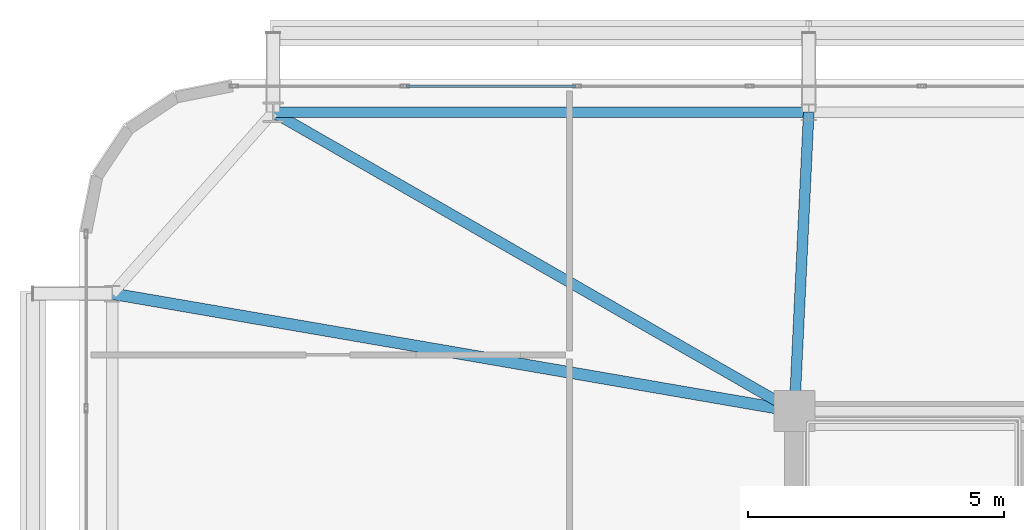
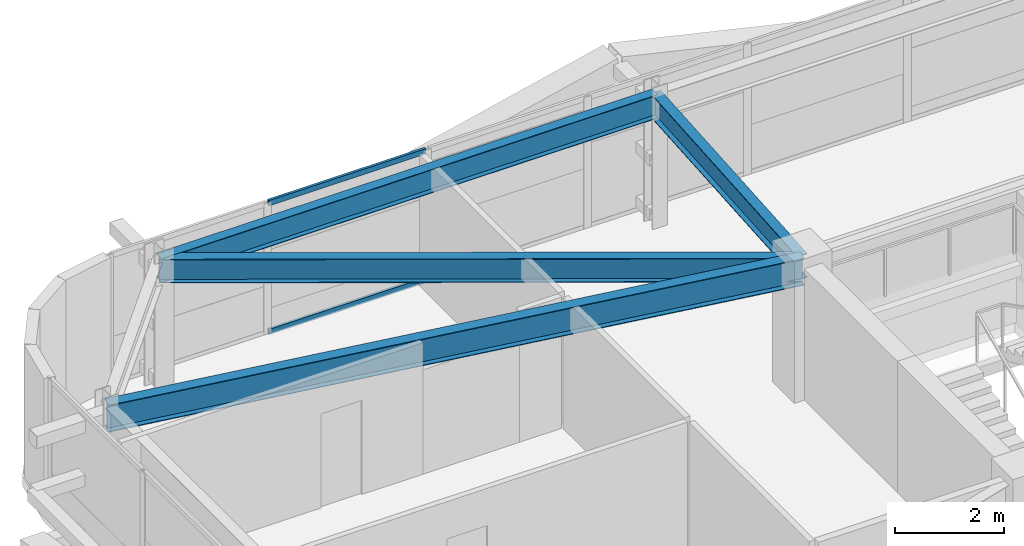
# One storey, part 34 of 59: 4 beams, 2 members, 1 element without a shape of its own.
"""IFC4 building model written with IfcOpenShell, lengths in metres."""

from ifc_helpers import new_model, si_unit, direction, frame, origin, origin_2d, place, context, subcontext, project, spatial, hollow_rectangle, i_section, extrude, source, transform, mapped, material, layer, layer_set, material_profile, profile_set, type_object, element, aggregate, save


model = new_model("IFC4")

# Units and contexts
model_context = context("Model", 3, precision=1e-05, world=origin(), true_north=direction((0.0, 1.0)))
body_context = subcontext(model_context, "Body", "Model", "MODEL_VIEW")
ifc_project = project(units=[si_unit("LENGTHUNIT", "METRE"), si_unit("AREAUNIT", "SQUARE_METRE"), si_unit("VOLUMEUNIT", "CUBIC_METRE"), si_unit("PLANEANGLEUNIT", "RADIAN"), si_unit("MASSUNIT", "GRAM", prefix="KILO")], contexts=[model_context])

# Site, building, storey
site_placement = place(None, origin())
site = spatial("IfcSite", under=ifc_project, at=site_placement, CompositionType="ELEMENT")
building_placement = place(site_placement, origin())
building = spatial("IfcBuilding", under=site, at=building_placement, Name="Taldren Reach Tower", CompositionType="ELEMENT")
storey_placement = place(building_placement, frame((0.0, 0.0, 23.10009765625)))
storey = spatial("IfcBuildingStorey", under=building, at=storey_placement, Name="L06", CompositionType="ELEMENT", Elevation=23.10009765625)

# Beams
ifc_material_1 = material(Name="Steel Gr 350 (350PLUS)", Category="steel")
ifc_material_profile_1 = material_profile(ifc_material_1, i_section(OverallWidth=0.208984375, OverallDepth=0.528076171875, WebThickness=0.009521484375, FlangeThickness=0.01318359375, at=origin_2d()), Name="530UB82.0")
ifc_profile_set_1 = profile_set([ifc_material_profile_1], Name="Steel Gr 350 (350PLUS)")
beam_type_1 = type_object("IfcBeamType", Name="SP-UB530B", PredefinedType="SPANDREL", material=ifc_profile_set_1)
shared_shape_1 = source(origin(), body_context, "Body", "SweptSolid", [
    extrude(i_section(OverallWidth=0.208984375, OverallDepth=0.528076171875, WebThickness=0.009521484375, FlangeThickness=0.01318359375, at=origin_2d()), origin(), (0.0, 0.0, 1.0), 10.47998046875),
])
beam_1_placement = place(storey_placement, frame((19.280029296875, 37.85009765625, 2.666015625), z_axis=(-1.0, 0.0, 0.0), x_axis=(0.0, -1.0, 0.0)))
element("IfcBeam", 1, at=beam_1_placement, inside=storey, type_object=beam_type_1, Name="Perimeter spandrel B1 N2-N1 L06", PredefinedType="SPANDREL", context=body_context, shape_type="MappedRepresentation", body=[
    mapped(shared_shape_1, transform((0.0, 0.0, 0.0), scale=1.0)),
])
ifc_material_profile_2 = material_profile(ifc_material_1, i_section(OverallWidth=0.22802734375, OverallDepth=0.60205078125, WebThickness=0.010498046875, FlangeThickness=0.014892578125, at=origin_2d()), Name="610UB101")
ifc_profile_set_2 = profile_set([ifc_material_profile_2], Name="Steel Gr 350 (350PLUS)")
beam_type_2 = type_object("IfcBeamType", Name="BM-UB610B", PredefinedType="BEAM", material=ifc_profile_set_2)
shared_shape_2 = source(origin(), body_context, "Body", "SweptSolid", [
    extrude(i_section(OverallWidth=0.22802734375, OverallDepth=0.60205078125, WebThickness=0.010498046875, FlangeThickness=0.014892578125, at=origin_2d()), origin(), (0.0, 0.0, 1.0), 13.546875),
])
beam_2_placement = place(storey_placement, frame((19.0, 32.0, 2.62890625), z_axis=(-0.985481022998, 0.169785609847, 0.0), x_axis=(-0.169785609847, -0.985481022998, 0.0)))
element("IfcBeam", 2, at=beam_2_placement, inside=storey, type_object=beam_type_2, Name="Primary floor girder B1-W3 L06", PredefinedType="BEAM", context=body_context, shape_type="MappedRepresentation", body=[
    mapped(shared_shape_2, transform((0.0, 0.0, 0.0), scale=1.0)),
])
ifc_material_profile_3 = material_profile(ifc_material_1, i_section(OverallWidth=0.208984375, OverallDepth=0.532958984375, WebThickness=0.01025390625, FlangeThickness=0.015625, at=origin_2d()), Name="530UB92.4")
ifc_profile_set_3 = profile_set([ifc_material_profile_3], Name="Steel Gr 350 (350PLUS)")
beam_type_3 = type_object("IfcBeamType", Name="BM-UB530A", PredefinedType="BEAM", material=ifc_profile_set_3)
shared_shape_3 = source(origin(), body_context, "Body", "SweptSolid", [
    extrude(i_section(OverallWidth=0.208984375, OverallDepth=0.532958984375, WebThickness=0.01025390625, FlangeThickness=0.015625, at=origin_2d()), origin(), (0.0, 0.0, 1.0), 11.758544921875),
])
beam_3_placement = place(storey_placement, frame((19.0, 32.0, 2.663330078125), z_axis=(-0.867452414141, 0.497520159593, 0.0), x_axis=(-0.497520159593, -0.867452414141, 0.0)))
element("IfcBeam", 3, at=beam_3_placement, inside=storey, type_object=beam_type_3, Name="Primary floor girder B1-N1 L06", PredefinedType="BEAM", context=body_context, shape_type="MappedRepresentation", body=[
    mapped(shared_shape_3, transform((0.0, 0.0, 0.0), scale=1.0)),
])
shared_shape_4 = source(origin(), body_context, "Body", "SweptSolid", [
    extrude(i_section(OverallWidth=0.208984375, OverallDepth=0.532958984375, WebThickness=0.01025390625, FlangeThickness=0.015625, at=origin_2d()), origin(), (0.0, 0.0, 1.0), 5.856689453125),
])
beam_4_placement = place(storey_placement, frame((19.0, 32.0, 2.663330078125), z_axis=(0.047812711672, 0.998856318297, 0.0), x_axis=(-0.998856318297, 0.047812711672, 0.0)))
element("IfcBeam", 4, at=beam_4_placement, inside=storey, type_object=beam_type_3, Name="Primary floor girder B1-N2 L06", PredefinedType="BEAM", context=body_context, shape_type="MappedRepresentation", body=[
    mapped(shared_shape_4, transform((0.0, 0.0, 0.0), scale=1.0)),
])

# Curtain wall, members
ifc_material_2 = material(Name="Aluminium and Low-E Glass Unitised System", Category="aluminium")
ifc_layer = layer(ifc_material_2, 0.159912109375)
ifc_layer_set = layer_set([ifc_layer], Name="Aluminium and Low-E Glass Unitised System")
curtain_wall_type = type_object("IfcCurtainWallType", Name="CW-SYS-2", PredefinedType="NOTDEFINED", material=ifc_layer_set)
curtain_wall_placement = place(storey_placement, origin())
curtain_wall = element("IfcCurtainWall", 5, at=curtain_wall_placement, inside=storey, type_object=curtain_wall_type, Name="Unitised curtain wall CW-L06-N", PredefinedType="NOTDEFINED")
ifc_material_3 = material(Name="Anodised Aluminium 6063-T6", Category="aluminium")
ifc_material_profile_4 = material_profile(ifc_material_3, hollow_rectangle(XDim=0.054931640625, YDim=0.1201171875, WallThickness=0.0029296875, at=origin_2d()), Name="ALU-120x55x3RHS")
ifc_profile_set_4 = profile_set([ifc_material_profile_4], Name="Anodised Aluminium 6063-T6")
member_type = type_object("IfcMemberType", Name="CW-TRN-135", PredefinedType="USERDEFINED", material=ifc_profile_set_4)
shared_shape_5 = source(origin(), body_context, "Body", "SweptSolid", [
    extrude(hollow_rectangle(XDim=0.054931640625, YDim=0.1201171875, WallThickness=0.0029296875, at=origin_2d()), origin(), (0.0, 0.0, 1.0), 3.31005859375),
])
member_1_placement = place(storey_placement, frame((14.717529296875, 38.360107421875, 0.02734375), z_axis=(-1.0, 0.0, 0.0), x_axis=(0.0, -1.0, 0.0)))
member_1 = element("IfcMember", 6, at=member_1_placement, type_object=member_type, Name="CW-2 transom 15.1", ObjectType="TRANSOM", PredefinedType="USERDEFINED", context=body_context, shape_type="MappedRepresentation", body=[
    mapped(shared_shape_5, transform((0.0, 0.0, 0.0), scale=1.0)),
])
member_2_placement = place(storey_placement, frame((14.717529296875, 38.360107421875, 2.90234375), z_axis=(-1.0, 0.0, 0.0), x_axis=(0.0, -1.0, 0.0)))
member_2 = element("IfcMember", 7, at=member_2_placement, type_object=member_type, Name="CW-2 transom 15.2", ObjectType="TRANSOM", PredefinedType="USERDEFINED", context=body_context, shape_type="MappedRepresentation", body=[
    mapped(shared_shape_5, transform((0.0, 0.0, 0.0), scale=1.0)),
])
aggregate(curtain_wall, [member_1, member_2])

save(model, "model.ifc")
